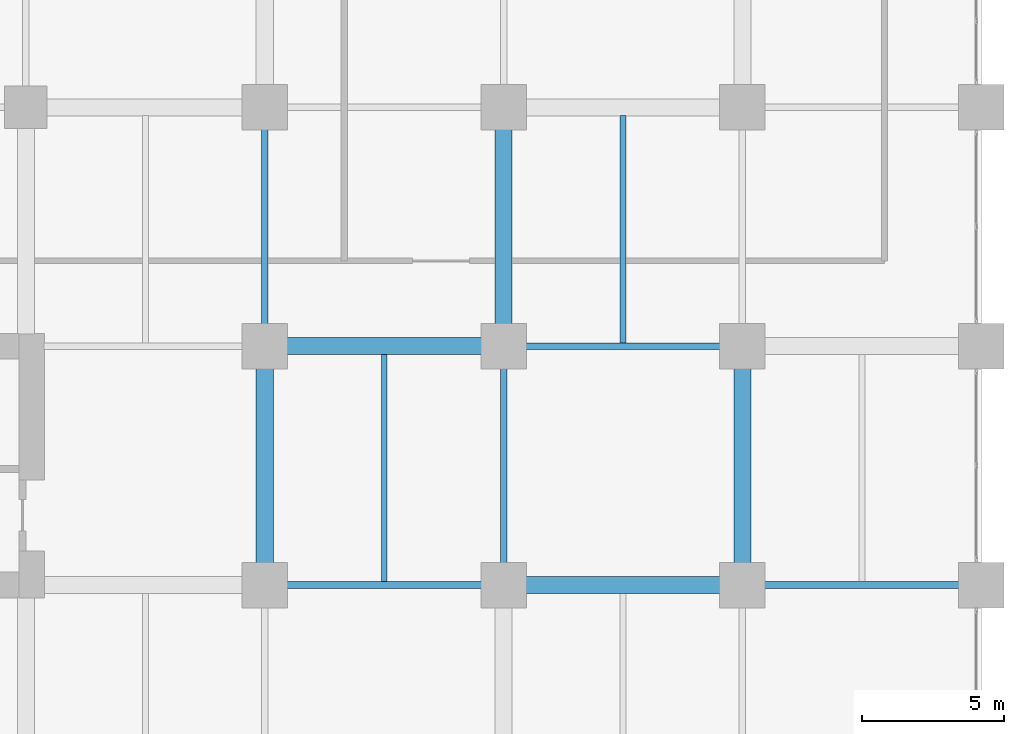
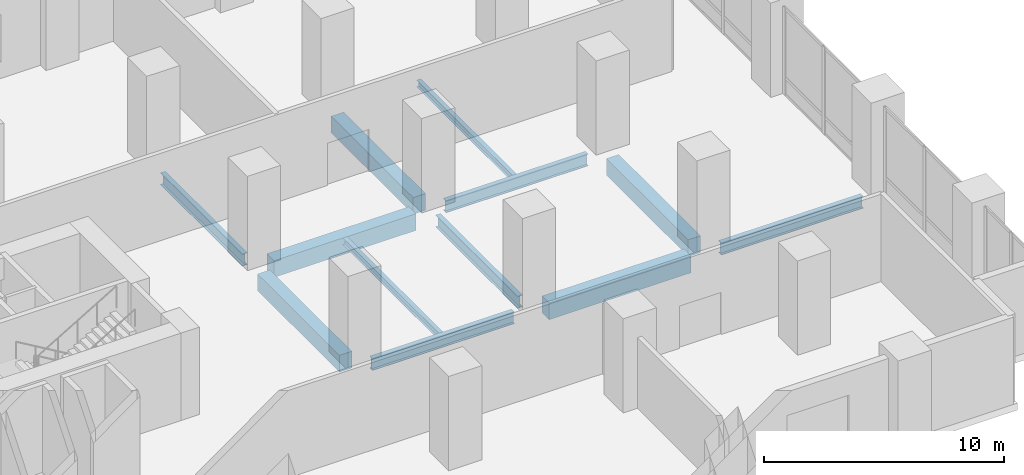
# One storey, part 4 of 22: 12 beams.
"""IFC4 building model written with IfcOpenShell, lengths in metres."""

from ifc_helpers import new_model, si_unit, direction, frame, origin, origin_2d, place, context, subcontext, project, spatial, rectangle, i_section, extrude, material, material_profile, profile_set, type_object, element, save


model = new_model("IFC4")

# Units and contexts
model_context = context("Model", 3, precision=1e-05, world=origin(), true_north=direction((0.0, 1.0)))
body_context = subcontext(model_context, "Body", "Model", "MODEL_VIEW")
ifc_project = project(units=[si_unit("LENGTHUNIT", "METRE"), si_unit("AREAUNIT", "SQUARE_METRE"), si_unit("VOLUMEUNIT", "CUBIC_METRE"), si_unit("PLANEANGLEUNIT", "RADIAN"), si_unit("MASSUNIT", "GRAM", prefix="KILO")], contexts=[model_context])

# Site, building, storey
site_placement = place(None, origin())
site = spatial("IfcSite", under=ifc_project, at=site_placement, CompositionType="ELEMENT")
building_placement = place(site_placement, origin())
building = spatial("IfcBuilding", under=site, at=building_placement, Name="Koriwani Terraces Tower", CompositionType="ELEMENT")
storey_placement = place(building_placement, frame((0.0, 0.0, 10.800048828125)))
storey = spatial("IfcBuildingStorey", under=building, at=storey_placement, Name="L02", CompositionType="ELEMENT", Elevation=10.800048828125)

# Beams
ifc_material_1 = material(Name="Concrete C60/75", Category="concrete")
ifc_material_profile_1 = material_profile(ifc_material_1, rectangle(XDim=0.60009765625, YDim=0.85009765625, at=origin_2d()), Name="Concrete C60/75", Category="LoadBearing")
ifc_profile_set_1 = profile_set([ifc_material_profile_1], Name="Concrete C60/75")
beam_type_1 = type_object("IfcBeamType", Name="BEAM_RC_GRID_600X850", PredefinedType="BEAM", material=ifc_profile_set_1)
for number, where, z_axis, x_axis, name in (
    (1, (76.3798828125, 16.800048828125, -0.775146484375), (1.0, 0.0, 0.0), (0.0, 1.0, 0.0), "L02 Grid Beam C (75.6-84.0m)"),
    (2, (67.97998046875, 25.199951171875, -0.775146484375), (1.0, 0.0, 0.0), (0.0, 1.0, 0.0), "L02 Grid Beam D (67.2-75.6m)"),
):
    element("IfcBeam", number, at=place(storey_placement, frame(where, z_axis=z_axis, x_axis=x_axis)), inside=storey, type_object=beam_type_1, Name=name, PredefinedType="BEAM", context=body_context, shape_type="SweptSolid", body=[
        extrude(rectangle(XDim=0.60009765625, YDim=0.85009765625, at=origin_2d()), origin(), (0.0, 0.0, 1.0), 6.840087890625),
    ])
beam_1_placement = place(storey_placement, frame((67.199951171875, 17.580078125, -0.775146484375), z_axis=(0.0, 1.0, 0.0), x_axis=(-1.0, 0.0, 0.0)))
element("IfcBeam", 3, at=beam_1_placement, inside=storey, type_object=beam_type_1, Name="L02 Grid Beam 9 (16.8-25.2m)", PredefinedType="BEAM", context=body_context, shape_type="SweptSolid", body=[
    extrude(rectangle(XDim=0.60009765625, YDim=0.85009765625, at=origin_2d()), origin(), (0.0, 0.0, 1.0), 6.83984375),
])
beam_2_placement = place(storey_placement, frame((75.60009765625, 25.97998046875, -0.775146484375), z_axis=(0.0, 1.0, 0.0), x_axis=(-1.0, 0.0, 0.0)))
element("IfcBeam", 4, at=beam_2_placement, inside=storey, type_object=beam_type_1, Name="L02 Grid Beam 10 (25.2-33.6m)", PredefinedType="BEAM", context=body_context, shape_type="SweptSolid", body=[
    extrude(rectangle(XDim=0.60009765625, YDim=0.85009765625, at=origin_2d()), origin(), (0.0, 0.0, 1.0), 6.840087890625),
])
beam_3_placement = place(storey_placement, frame((84.0, 17.580078125, -0.775146484375), z_axis=(0.0, 1.0, 0.0), x_axis=(-1.0, 0.0, 0.0)))
element("IfcBeam", 5, at=beam_3_placement, inside=storey, type_object=beam_type_1, Name="L02 Grid Beam 11 (16.8-25.2m)", PredefinedType="BEAM", context=body_context, shape_type="SweptSolid", body=[
    extrude(rectangle(XDim=0.60009765625, YDim=0.85009765625, at=origin_2d()), origin(), (0.0, 0.0, 1.0), 6.83984375),
])
ifc_material_2 = material(Name="Steel ASTM A572 Grade 50", Category="steel")
ifc_material_profile_2 = material_profile(ifc_material_2, i_section(OverallWidth=0.205078125, OverallDepth=0.35400390625, WebThickness=0.009521484375, FlangeThickness=0.016845703125, at=origin_2d()), Name="Steel ASTM A572 Grade 50", Category="LoadBearing")
ifc_profile_set_2 = profile_set([ifc_material_profile_2], Name="Steel ASTM A572 Grade 50")
beam_type_2 = type_object("IfcBeamType", Name="STEEL_BEAM_W360X79", PredefinedType="JOIST", material=ifc_profile_set_2)
beam_4_placement = place(storey_placement, frame((71.39990234375, 16.905517578125, -0.527099609375), z_axis=(0.0, 1.0, 0.0), x_axis=(-1.0, 0.0, 0.0)))
element("IfcBeam", 6, at=beam_4_placement, inside=storey, type_object=beam_type_2, Name="L02 Secondary Steel Floor Joist X=71.4m", PredefinedType="JOIST", context=body_context, shape_type="SweptSolid", body=[
    extrude(i_section(OverallWidth=0.205078125, OverallDepth=0.35400390625, WebThickness=0.009521484375, FlangeThickness=0.016845703125, at=origin_2d()), origin(), (0.0, 0.0, 1.0), 8.00439453125),
])
beam_5_placement = place(storey_placement, frame((79.800048828125, 25.305419921875, -0.527099609375), z_axis=(0.0, 1.0, 0.0), x_axis=(-1.0, 0.0, 0.0)))
element("IfcBeam", 7, at=beam_5_placement, inside=storey, type_object=beam_type_2, Name="L02 Secondary Steel Floor Joist X=79.8m", PredefinedType="JOIST", context=body_context, shape_type="SweptSolid", body=[
    extrude(i_section(OverallWidth=0.205078125, OverallDepth=0.35400390625, WebThickness=0.009521484375, FlangeThickness=0.016845703125, at=origin_2d()), origin(), (0.0, 0.0, 1.0), 8.004638671875),
])
ifc_material_profile_3 = material_profile(ifc_material_2, i_section(OverallWidth=0.23095703125, OverallDepth=0.616943359375, WebThickness=0.015380859375, FlangeThickness=0.0244140625, at=origin_2d()), Name="Steel ASTM A572 Grade 50", Category="LoadBearing")
ifc_profile_set_3 = profile_set([ifc_material_profile_3], Name="Steel ASTM A572 Grade 50")
beam_type_3 = type_object("IfcBeamType", Name="STEEL_BEAM_W610X195", PredefinedType="BEAM", material=ifc_profile_set_3)
for number, where, z_axis, x_axis, name in (
    (8, (67.97998046875, 16.800048828125, -0.658447265625), (1.0, 0.0, 0.0), (0.0, 1.0, 0.0), "L02 Grid Beam C (67.2-75.6m)"),
    (9, (84.780029296875, 16.800048828125, -0.658447265625), (1.0, 0.0, 0.0), (0.0, 1.0, 0.0), "L02 Grid Beam C (84.0-92.4m)"),
    (10, (76.3798828125, 25.199951171875, -0.658447265625), (1.0, 0.0, 0.0), (0.0, 1.0, 0.0), "L02 Grid Beam D (75.6-84.0m)"),
    (11, (67.199951171875, 25.97998046875, -0.658447265625), (0.0, 1.0, 0.0), (-1.0, 0.0, 0.0), "L02 Grid Beam 9 (25.2-33.6m)"),
):
    element("IfcBeam", number, at=place(storey_placement, frame(where, z_axis=z_axis, x_axis=x_axis)), inside=storey, type_object=beam_type_3, Name=name, PredefinedType="BEAM", context=body_context, shape_type="SweptSolid", body=[
        extrude(i_section(OverallWidth=0.23095703125, OverallDepth=0.616943359375, WebThickness=0.015380859375, FlangeThickness=0.0244140625, at=origin_2d()), origin(), (0.0, 0.0, 1.0), 6.840087890625),
    ])
beam_6_placement = place(storey_placement, frame((75.60009765625, 17.580078125, -0.658447265625), z_axis=(0.0, 1.0, 0.0), x_axis=(-1.0, 0.0, 0.0)))
element("IfcBeam", 12, at=beam_6_placement, inside=storey, type_object=beam_type_3, Name="L02 Grid Beam 10 (16.8-25.2m)", PredefinedType="BEAM", context=body_context, shape_type="SweptSolid", body=[
    extrude(i_section(OverallWidth=0.23095703125, OverallDepth=0.616943359375, WebThickness=0.015380859375, FlangeThickness=0.0244140625, at=origin_2d()), origin(), (0.0, 0.0, 1.0), 6.83984375),
])

save(model, "model.ifc")
